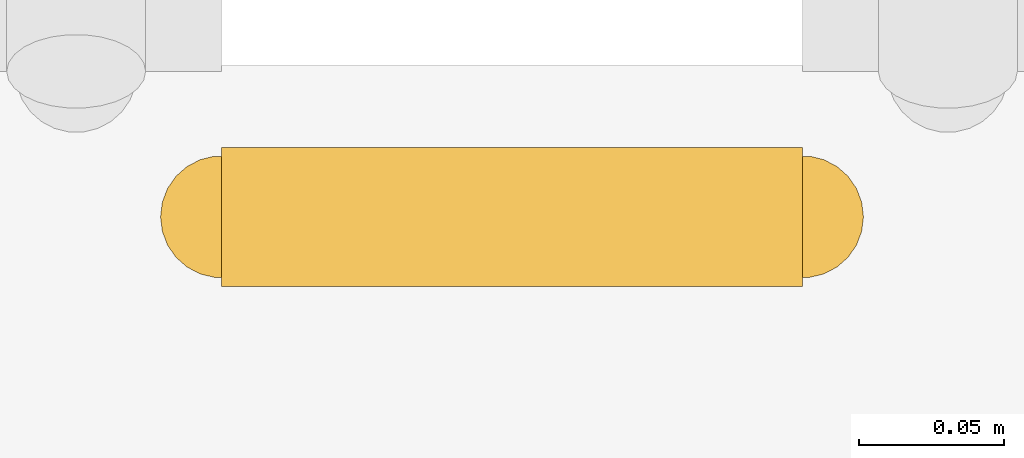
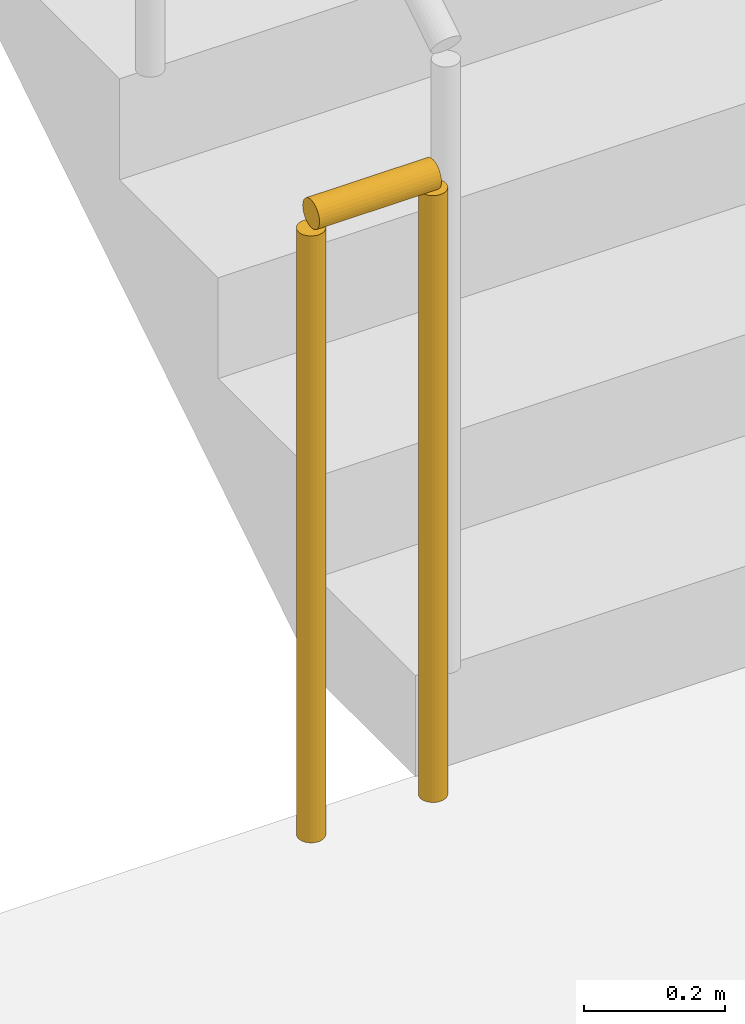
# One storey, part 12 of 22: 1 railing.
"""IFC4 building model written with IfcOpenShell, lengths in metres."""

from ifc_helpers import new_model, si_unit, direction, frame, origin, origin_2d, place, context, subcontext, project, spatial, circle, extrude, material, type_object, element, save


model = new_model("IFC4")

# Units and contexts
model_context = context("Model", 3, precision=1e-05, world=origin(), true_north=direction((0.0, 1.0)))
body_context = subcontext(model_context, "Body", "Model", "MODEL_VIEW")
ifc_project = project(units=[si_unit("LENGTHUNIT", "METRE"), si_unit("AREAUNIT", "SQUARE_METRE"), si_unit("VOLUMEUNIT", "CUBIC_METRE"), si_unit("PLANEANGLEUNIT", "RADIAN"), si_unit("MASSUNIT", "GRAM", prefix="KILO")], contexts=[model_context])

# Site, building, storey
site_placement = place(None, origin())
site = spatial("IfcSite", under=ifc_project, at=site_placement, CompositionType="ELEMENT")
building_placement = place(site_placement, origin())
building = spatial("IfcBuilding", under=site, at=building_placement, Name="Kiln Ring Residences", CompositionType="ELEMENT")
storey_placement = place(building_placement, frame((0.0, 0.0, 62.0)))
storey = spatial("IfcBuildingStorey", under=building, at=storey_placement, Name="L15", CompositionType="ELEMENT", Elevation=62.0)

# Railing
ifc_material = material(Name="Stainless steel", Category="steel")
railing_type = type_object("IfcRailingType", Name="CORE-STAIR-GUARD", PredefinedType="GUARDRAIL", material=ifc_material)
railing_placement = place(storey_placement, frame((-22.0, -8.449951171875, 0.0)))
element("IfcRailing", 1, at=railing_placement, inside=storey, type_object=railing_type, Name="L15 W-STS stair guard 4", PredefinedType="GUARDRAIL", context=body_context, shape_type="SweptSolid", body=[
    extrude(circle(Radius=0.02392578125, at=origin_2d()), frame((0.0, 0.0, 1.076171875), z_axis=(-1.0, 0.0, 0.0), x_axis=(0.0, -1.0, 0.0)), (0.0, 0.0, 1.0), 0.199951171875),
    extrude(circle(Radius=0.02099609375, at=origin_2d()), origin(), (0.0, 0.0, 1.0), 1.052001953125),
    extrude(circle(Radius=0.02099609375, at=origin_2d()), frame((-0.199951171875, 0.0, 0.0)), (0.0, 0.0, 1.0), 1.052001953125),
])

save(model, "model.ifc")
